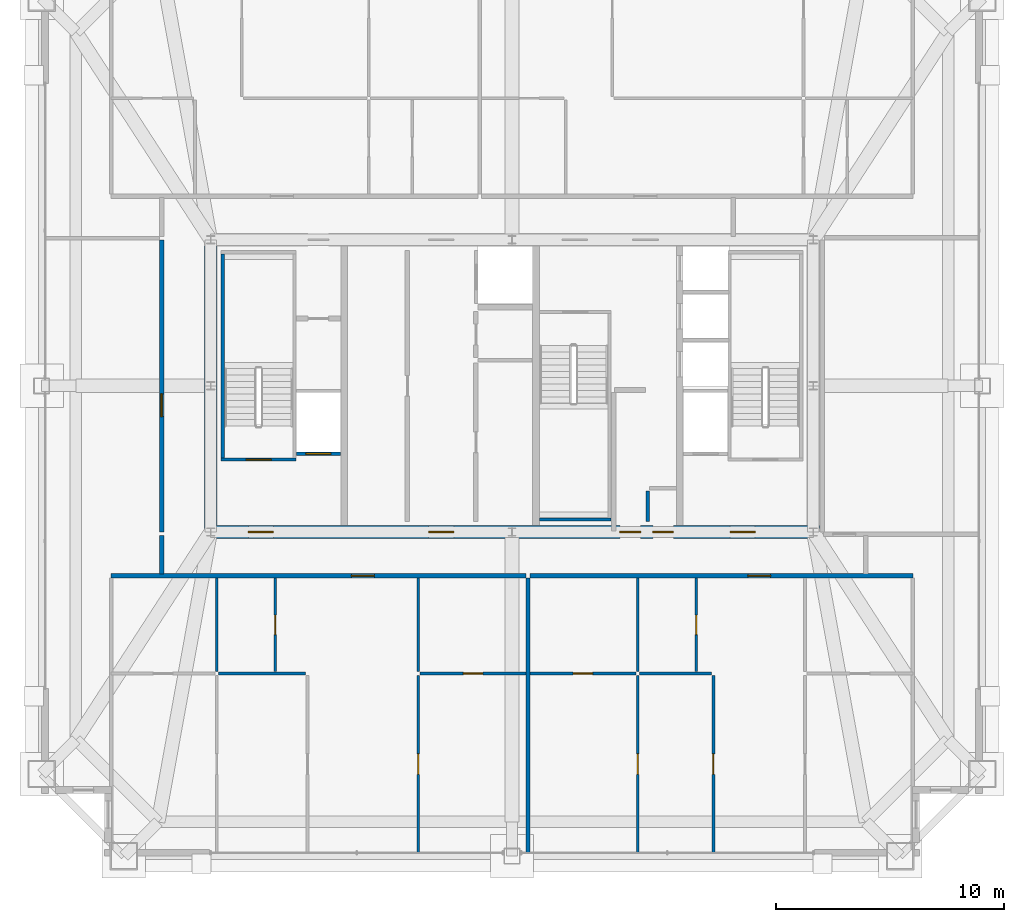
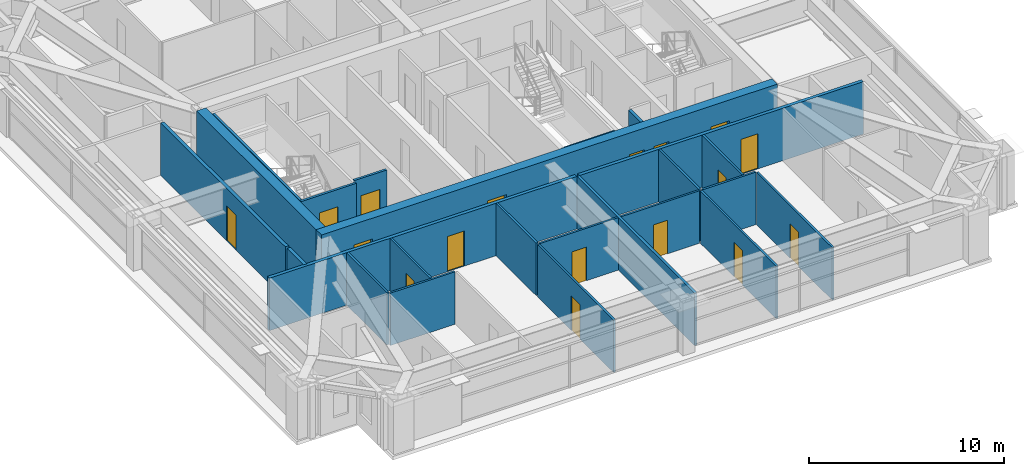
# One storey, part 29 of 33: 24 walls, 17 doors, 17 openings.
"""IFC4 building model written with IfcOpenShell, lengths in metres."""

from ifc_helpers import new_model, si_unit, direction, frame, frame_2d, origin, place, context, subcontext, project, spatial, rectangle, extrude, source, transform, mapped, material, layer, layer_set, type_object, element, fill, save


model = new_model("IFC4")

# Units and contexts
model_context = context("Model", 3, precision=1e-05, world=origin(), true_north=direction((0.0, 1.0)))
body_context = subcontext(model_context, "Body", "Model", "MODEL_VIEW")
ifc_project = project(units=[si_unit("LENGTHUNIT", "METRE"), si_unit("AREAUNIT", "SQUARE_METRE"), si_unit("VOLUMEUNIT", "CUBIC_METRE"), si_unit("PLANEANGLEUNIT", "RADIAN"), si_unit("MASSUNIT", "GRAM", prefix="KILO"), si_unit("THERMODYNAMICTEMPERATUREUNIT", "KELVIN"), si_unit("POWERUNIT", "WATT")], contexts=[model_context])

# Site, building, storey
site_placement = place(None, origin())
site = spatial("IfcSite", under=ifc_project, at=site_placement, CompositionType="ELEMENT")
building_placement = place(site_placement, origin())
building = spatial("IfcBuilding", under=site, at=building_placement, Name="Yuzanri Waterfront Tower", CompositionType="ELEMENT")
storey_placement = place(building_placement, frame((0.0, 0.0, 282.10009765625)))
storey = spatial("IfcBuildingStorey", under=building, at=storey_placement, Name="L75", CompositionType="ELEMENT", Elevation=282.10009765625)

# Wall, opening, door
ifc_material_1 = material(Name="Moisture-Resistant Gypsum Stud Wall", Category="gypsum")
ifc_layer_1 = layer(ifc_material_1, 0.1201171875)
ifc_layer_set_1 = layer_set([ifc_layer_1], Name="Moisture-Resistant Gypsum Stud Wall")
wall_type_1 = type_object("IfcWallType", Name="Bathroom and Kitchen Wet Partition 120", PredefinedType="PARTITIONING", material=ifc_layer_set_1)
wall_1_placement = place(storey_placement, frame((26.625, 13.280029296875, 0.0), z_axis=(0.0, 0.0, 1.0), x_axis=(0.0, 1.0, 0.0)))
wall_1 = element("IfcWall", 1, at=wall_1_placement, inside=storey, type_object=wall_type_1, Name="L75 Partition UW-L75-HS1-SUB-2-E", PredefinedType="PARTITIONING", context=body_context, shape_type="SweptSolid", body=[
    extrude(rectangle(XDim=4.10986328125, YDim=0.1201171875, at=frame_2d((2.054931640625, 0.0))), origin(), (0.0, 0.0, 1.0), 3.27978515625),
])
opening_1_placement = place(wall_1_placement, frame((1.6298828125, 0.0, 0.0)))
opening_1 = element("IfcOpeningElement", 2, at=opening_1_placement, cuts=wall_1, Name="Opening ID-0850", PredefinedType="OPENING", context=body_context, shape_type="SweptSolid", body=[
    extrude(rectangle(XDim=0.85009765625, YDim=2.10009765625, at=frame_2d((0.425048828125, 1.050048828125))), frame((0.0, 0.074951171875, 0.0), z_axis=(0.0, -1.0, 0.0), x_axis=(1.0, 0.0, 0.0)), (0.0, 0.0, 1.0), 0.14990234375),
])
ifc_material_2 = material(Name="Moisture-Resistant Lacquered Timber", Category="wood")
door_type_1 = type_object("IfcDoorType", Name="En-Suite Bathroom and Kitchen Swing Door 850x2100", OperationType="NOTDEFINED", PredefinedType="DOOR", material=ifc_material_2)
shared_shape_1 = source(origin(), body_context, "Body", "SweptSolid", [
    extrude(rectangle(XDim=0.85009765625, YDim=2.10009765625, at=frame_2d((0.425048828125, 1.050048828125))), frame((0.0, 0.02490234375, 0.0), z_axis=(0.0, -1.0, 0.0), x_axis=(1.0, 0.0, 0.0)), (0.0, 0.0, 1.0), 0.050048828125),
])
door_1_placement = place(opening_1_placement, origin())
door_1 = element("IfcDoor", 3, at=door_1_placement, inside=storey, type_object=door_type_1, Name="L75 Suite Interior Room Door", OperationType="SINGLE_SWING_LEFT", OverallHeight=2.10009765625, OverallWidth=0.85009765625, PredefinedType="DOOR", context=body_context, shape_type="MappedRepresentation", body=[
    mapped(shared_shape_1, transform((0.0, 0.0, 0.0), scale=1.0)),
])
fill(opening_1, door_1)

wall_2_placement = place(storey_placement, frame((32.97509765625, 13.199951171875, 0.0), z_axis=(0.0, 0.0, 1.0), x_axis=(1.0, 0.0, 0.0)))
wall_2 = element("IfcWall", 4, at=wall_2_placement, inside=storey, type_object=wall_type_1, Name="L75 Partition UW-L75-HS1-SUB-3-S", PredefinedType="PARTITIONING", context=body_context, shape_type="SweptSolid", body=[
    extrude(rectangle(XDim=4.64697265625, YDim=0.1201171875, at=frame_2d((2.323486328125, 0.0))), origin(), (0.0, 0.0, 1.0), 3.27978515625),
])
opening_2_placement = place(wall_2_placement, frame((1.8984375, 0.0, 0.0)))
opening_2 = element("IfcOpeningElement", 5, at=opening_2_placement, cuts=wall_2, Name="Opening ID-0850", PredefinedType="OPENING", context=body_context, shape_type="SweptSolid", body=[
    extrude(rectangle(XDim=0.85009765625, YDim=2.10009765625, at=frame_2d((0.425048828125, 1.050048828125))), frame((0.0, 0.074951171875, 0.0), z_axis=(0.0, -1.0, 0.0), x_axis=(1.0, 0.0, 0.0)), (0.0, 0.0, 1.0), 0.14990234375),
])
door_2_placement = place(opening_2_placement, origin())
door_2 = element("IfcDoor", 6, at=door_2_placement, inside=storey, type_object=door_type_1, Name="L75 Suite Interior Room Door", OperationType="SINGLE_SWING_RIGHT", OverallHeight=2.10009765625, OverallWidth=0.85009765625, PredefinedType="DOOR", context=body_context, shape_type="MappedRepresentation", body=[
    mapped(shared_shape_1, transform((0.0, 0.0, 0.0), scale=1.0)),
])
fill(opening_2, door_2)

wall_3_placement = place(storey_placement, frame((32.89501953125, 5.35009765625, 0.0), z_axis=(0.0, 0.0, 1.0), x_axis=(0.0, 1.0, 0.0)))
wall_3 = element("IfcWall", 7, at=wall_3_placement, inside=storey, type_object=wall_type_1, Name="L75 Partition UW-L75-HS1-SUB-5-W", PredefinedType="PARTITIONING", context=body_context, shape_type="SweptSolid", body=[
    extrude(rectangle(XDim=7.77001953125, YDim=0.1201171875, at=frame_2d((3.885009765625, 0.0))), origin(), (0.0, 0.0, 1.0), 3.27978515625),
])
opening_3_placement = place(wall_3_placement, frame((3.43505859375, 0.0, 0.0)))
opening_3 = element("IfcOpeningElement", 8, at=opening_3_placement, cuts=wall_3, Name="Opening ID-0900", PredefinedType="OPENING", context=body_context, shape_type="SweptSolid", body=[
    extrude(rectangle(XDim=0.89990234375, YDim=2.14990234375, at=frame_2d((0.449951171875, 1.074951171875))), frame((0.0, 0.074951171875, 0.0), z_axis=(0.0, -1.0, 0.0), x_axis=(1.0, 0.0, 0.0)), (0.0, 0.0, 1.0), 0.14990234375),
])
ifc_material_3 = material(Name="Stained Walnut Veneer Timber", Category="wood")
door_type_2 = type_object("IfcDoorType", Name="Bedroom and Study Interior Swing Door 900x2150", OperationType="NOTDEFINED", PredefinedType="DOOR", material=ifc_material_3)
shared_shape_2 = source(origin(), body_context, "Body", "SweptSolid", [
    extrude(rectangle(XDim=0.89990234375, YDim=2.14990234375, at=frame_2d((0.449951171875, 1.074951171875))), frame((0.0, 0.02490234375, 0.0), z_axis=(0.0, -1.0, 0.0), x_axis=(1.0, 0.0, 0.0)), (0.0, 0.0, 1.0), 0.050048828125),
])
door_3_placement = place(opening_3_placement, origin())
door_3 = element("IfcDoor", 9, at=door_3_placement, inside=storey, type_object=door_type_2, Name="L75 Suite Interior Room Door", OperationType="SINGLE_SWING_RIGHT", OverallHeight=2.14990234375, OverallWidth=0.89990234375, PredefinedType="DOOR", context=body_context, shape_type="MappedRepresentation", body=[
    mapped(shared_shape_2, transform((0.0, 0.0, 0.0), scale=1.0)),
])
fill(opening_3, door_3)

wall_4_placement = place(storey_placement, frame((37.781982421875, 13.199951171875, 0.0), z_axis=(0.0, 0.0, 1.0), x_axis=(1.0, 0.0, 0.0)))
wall_4 = element("IfcWall", 10, at=wall_4_placement, inside=storey, type_object=wall_type_1, Name="L75 Partition UW-L75-HS2-SUB-1-S", PredefinedType="PARTITIONING", context=body_context, shape_type="SweptSolid", body=[
    extrude(rectangle(XDim=4.64697265625, YDim=0.1201171875, at=frame_2d((2.323486328125, 0.0))), origin(), (0.0, 0.0, 1.0), 3.27978515625),
])
opening_4_placement = place(wall_4_placement, frame((1.8984375, 0.0, 0.0)))
opening_4 = element("IfcOpeningElement", 11, at=opening_4_placement, cuts=wall_4, Name="Opening ID-0850", PredefinedType="OPENING", context=body_context, shape_type="SweptSolid", body=[
    extrude(rectangle(XDim=0.85009765625, YDim=2.10009765625, at=frame_2d((0.425048828125, 1.050048828125))), frame((0.0, 0.074951171875, 0.0), z_axis=(0.0, -1.0, 0.0), x_axis=(1.0, 0.0, 0.0)), (0.0, 0.0, 1.0), 0.14990234375),
])
door_4_placement = place(opening_4_placement, origin())
door_4 = element("IfcDoor", 12, at=door_4_placement, inside=storey, type_object=door_type_1, Name="L75 Suite Interior Room Door", OperationType="SINGLE_SWING_LEFT", OverallHeight=2.10009765625, OverallWidth=0.85009765625, PredefinedType="DOOR", context=body_context, shape_type="MappedRepresentation", body=[
    mapped(shared_shape_1, transform((0.0, 0.0, 0.0), scale=1.0)),
])
fill(opening_4, door_4)

wall_5_placement = place(storey_placement, frame((45.069091796875, 13.280029296875, 0.0), z_axis=(0.0, 0.0, 1.0), x_axis=(0.0, 1.0, 0.0)))
wall_5 = element("IfcWall", 13, at=wall_5_placement, inside=storey, type_object=wall_type_1, Name="L75 Partition UW-L75-HS2-SUB-2-E", PredefinedType="PARTITIONING", context=body_context, shape_type="SweptSolid", body=[
    extrude(rectangle(XDim=4.10986328125, YDim=0.1201171875, at=frame_2d((2.054931640625, 0.0))), origin(), (0.0, 0.0, 1.0), 3.27978515625),
])
opening_5_placement = place(wall_5_placement, frame((1.6298828125, 0.0, 0.0)))
opening_5 = element("IfcOpeningElement", 14, at=opening_5_placement, cuts=wall_5, Name="Opening ID-0850", PredefinedType="OPENING", context=body_context, shape_type="SweptSolid", body=[
    extrude(rectangle(XDim=0.85009765625, YDim=2.10009765625, at=frame_2d((0.425048828125, 1.050048828125))), frame((0.0, 0.074951171875, 0.0), z_axis=(0.0, -1.0, 0.0), x_axis=(1.0, 0.0, 0.0)), (0.0, 0.0, 1.0), 0.14990234375),
])
door_5_placement = place(opening_5_placement, origin())
door_5 = element("IfcDoor", 15, at=door_5_placement, inside=storey, type_object=door_type_1, Name="L75 Suite Interior Room Door", OperationType="SINGLE_SWING_RIGHT", OverallHeight=2.10009765625, OverallWidth=0.85009765625, PredefinedType="DOOR", context=body_context, shape_type="MappedRepresentation", body=[
    mapped(shared_shape_1, transform((0.0, 0.0, 0.0), scale=1.0)),
])
fill(opening_5, door_5)

wall_6_placement = place(storey_placement, frame((42.509033203125, 5.35009765625, 0.0), z_axis=(0.0, 0.0, 1.0), x_axis=(0.0, 1.0, 0.0)))
wall_6 = element("IfcWall", 16, at=wall_6_placement, inside=storey, type_object=wall_type_1, Name="L75 Partition UW-L75-HS2-SUB-4-E", PredefinedType="PARTITIONING", context=body_context, shape_type="SweptSolid", body=[
    extrude(rectangle(XDim=7.77001953125, YDim=0.1201171875, at=frame_2d((3.885009765625, 0.0))), origin(), (0.0, 0.0, 1.0), 3.27978515625),
])
opening_6_placement = place(wall_6_placement, frame((3.43505859375, 0.0, 0.0)))
opening_6 = element("IfcOpeningElement", 17, at=opening_6_placement, cuts=wall_6, Name="Opening ID-0900", PredefinedType="OPENING", context=body_context, shape_type="SweptSolid", body=[
    extrude(rectangle(XDim=0.89990234375, YDim=2.14990234375, at=frame_2d((0.449951171875, 1.074951171875))), frame((0.0, 0.074951171875, 0.0), z_axis=(0.0, -1.0, 0.0), x_axis=(1.0, 0.0, 0.0)), (0.0, 0.0, 1.0), 0.14990234375),
])
door_6_placement = place(opening_6_placement, origin())
door_6 = element("IfcDoor", 18, at=door_6_placement, inside=storey, type_object=door_type_2, Name="L75 Suite Interior Room Door", OperationType="SINGLE_SWING_RIGHT", OverallHeight=2.14990234375, OverallWidth=0.89990234375, PredefinedType="DOOR", context=body_context, shape_type="MappedRepresentation", body=[
    mapped(shared_shape_2, transform((0.0, 0.0, 0.0), scale=1.0)),
])
fill(opening_6, door_6)

wall_7_placement = place(storey_placement, frame((45.821044921875, 5.35009765625, 0.0), z_axis=(0.0, 0.0, 1.0), x_axis=(0.0, 1.0, 0.0)))
wall_7 = element("IfcWall", 19, at=wall_7_placement, inside=storey, type_object=wall_type_1, Name="L75 Partition UW-L75-HS2-SUB-6-E", PredefinedType="PARTITIONING", context=body_context, shape_type="SweptSolid", body=[
    extrude(rectangle(XDim=7.77001953125, YDim=0.1201171875, at=frame_2d((3.885009765625, 0.0))), origin(), (0.0, 0.0, 1.0), 3.27978515625),
])
opening_7_placement = place(wall_7_placement, frame((3.43505859375, 0.0, 0.0)))
opening_7 = element("IfcOpeningElement", 20, at=opening_7_placement, cuts=wall_7, Name="Opening ID-0900", PredefinedType="OPENING", context=body_context, shape_type="SweptSolid", body=[
    extrude(rectangle(XDim=0.89990234375, YDim=2.14990234375, at=frame_2d((0.449951171875, 1.074951171875))), frame((0.0, 0.074951171875, 0.0), z_axis=(0.0, -1.0, 0.0), x_axis=(1.0, 0.0, 0.0)), (0.0, 0.0, 1.0), 0.14990234375),
])
door_7_placement = place(opening_7_placement, origin())
door_7 = element("IfcDoor", 21, at=door_7_placement, inside=storey, type_object=door_type_2, Name="L75 Suite Interior Room Door", OperationType="SINGLE_SWING_RIGHT", OverallHeight=2.14990234375, OverallWidth=0.89990234375, PredefinedType="DOOR", context=body_context, shape_type="MappedRepresentation", body=[
    mapped(shared_shape_2, transform((0.0, 0.0, 0.0), scale=1.0)),
])
fill(opening_7, door_7)

# Wall, openings, doors
ifc_material_4 = material(Name="Concrete C50", Category="concrete")
ifc_layer_2 = layer(ifc_material_4, 0.550048828125)
ifc_layer_set_2 = layer_set([ifc_layer_2], Name="Concrete C50")
wall_type_2 = type_object("IfcWallType", Name="Concrete C50 Upper-Mid Zone Core Shear Wall 550", PredefinedType="SHEAR", material=ifc_layer_set_2)
wall_8_placement = place(storey_placement, frame((23.52490234375, 19.39990234375, 0.0), z_axis=(0.0, 0.0, 1.0), x_axis=(1.0, 0.0, 0.0)))
wall_8 = element("IfcWall", 22, at=wall_8_placement, inside=storey, type_object=wall_type_2, Name="L75 Core South Shear Wall", PredefinedType="SHEAR", context=body_context, shape_type="SweptSolid", body=[
    extrude(rectangle(XDim=26.9501953125, YDim=0.550048828125, at=frame_2d((13.47509765625, 0.0))), origin(), (0.0, 0.0, 1.0), 3.5),
])
opening_8_placement = place(wall_8_placement, frame((1.925048828125, 0.0, 0.0)))
opening_8 = element("IfcOpeningElement", 23, at=opening_8_placement, cuts=wall_8, Name="Opening FD-1100", PredefinedType="OPENING", context=body_context, shape_type="SweptSolid", body=[
    extrude(rectangle(XDim=1.10009765625, YDim=2.199951171875, at=frame_2d((0.550048828125, 1.10009765625))), frame((0.0, 0.2900390625, 0.0), z_axis=(0.0, -1.0, 0.0), x_axis=(1.0, 0.0, 0.0)), (0.0, 0.0, 1.0), 0.579833984375),
])
opening_9_placement = place(wall_8_placement, frame((9.824951171875, 0.0, 0.0)))
opening_9 = element("IfcOpeningElement", 24, at=opening_9_placement, cuts=wall_8, Name="Opening FD-1100", PredefinedType="OPENING", context=body_context, shape_type="SweptSolid", body=[
    extrude(rectangle(XDim=1.10009765625, YDim=2.199951171875, at=frame_2d((0.550048828125, 1.10009765625))), frame((0.0, 0.2900390625, 0.0), z_axis=(0.0, -1.0, 0.0), x_axis=(1.0, 0.0, 0.0)), (0.0, 0.0, 1.0), 0.579833984375),
])
opening_10_placement = place(wall_8_placement, frame((23.02490234375, 0.0, 0.0)))
opening_10 = element("IfcOpeningElement", 25, at=opening_10_placement, cuts=wall_8, Name="Opening FD-1100", PredefinedType="OPENING", context=body_context, shape_type="SweptSolid", body=[
    extrude(rectangle(XDim=1.10009765625, YDim=2.199951171875, at=frame_2d((0.550048828125, 1.10009765625))), frame((0.0, 0.2900390625, 0.0), z_axis=(0.0, -1.0, 0.0), x_axis=(1.0, 0.0, 0.0)), (0.0, 0.0, 1.0), 0.579833984375),
])
opening_11_placement = place(wall_8_placement, frame((19.64501953125, 0.0, 0.0)))
opening_11 = element("IfcOpeningElement", 26, at=opening_11_placement, cuts=wall_8, Name="Opening FD-0900", PredefinedType="OPENING", context=body_context, shape_type="SweptSolid", body=[
    extrude(rectangle(XDim=0.89990234375, YDim=2.14990234375, at=frame_2d((0.449951171875, 1.074951171875))), frame((0.0, 0.2900390625, 0.0), z_axis=(0.0, -1.0, 0.0), x_axis=(1.0, 0.0, 0.0)), (0.0, 0.0, 1.0), 0.579833984375),
])
opening_12_placement = place(wall_8_placement, frame((18.205078125, 0.0, 0.0)))
opening_12 = element("IfcOpeningElement", 27, at=opening_12_placement, cuts=wall_8, Name="Opening FD-0900", PredefinedType="OPENING", context=body_context, shape_type="SweptSolid", body=[
    extrude(rectangle(XDim=0.89990234375, YDim=2.14990234375, at=frame_2d((0.449951171875, 1.074951171875))), frame((0.0, 0.2900390625, 0.0), z_axis=(0.0, -1.0, 0.0), x_axis=(1.0, 0.0, 0.0)), (0.0, 0.0, 1.0), 0.579833984375),
])
ifc_material_5 = material(Name="Painted Galvanized Fire Steel", Category="steel")
door_type_3 = type_object("IfcDoorType", Name="Smoke-Proof Stair and Lobby Fire Door 1100x2200", OperationType="NOTDEFINED", PredefinedType="DOOR", material=ifc_material_5)
shared_shape_3 = source(origin(), body_context, "Body", "SweptSolid", [
    extrude(rectangle(XDim=1.10009765625, YDim=2.199951171875, at=frame_2d((0.550048828125, 1.10009765625))), frame((0.0, 0.02490234375, 0.0), z_axis=(0.0, -1.0, 0.0), x_axis=(1.0, 0.0, 0.0)), (0.0, 0.0, 1.0), 0.050048828125),
])
door_8_placement = place(opening_8_placement, origin())
door_8 = element("IfcDoor", 28, at=door_8_placement, inside=storey, type_object=door_type_3, Name="L75 West Firefighting Lobby Door", OperationType="SINGLE_SWING_RIGHT", OverallHeight=2.199951171875, OverallWidth=1.10009765625, PredefinedType="DOOR", context=body_context, shape_type="MappedRepresentation", body=[
    mapped(shared_shape_3, transform((0.0, 0.0, 0.0), scale=1.0)),
])
fill(opening_8, door_8)
door_9_placement = place(opening_9_placement, origin())
door_9 = element("IfcDoor", 29, at=door_9_placement, inside=storey, type_object=door_type_3, Name="L75 Central Lift Lobby South Door", OperationType="SINGLE_SWING_LEFT", OverallHeight=2.199951171875, OverallWidth=1.10009765625, PredefinedType="DOOR", context=body_context, shape_type="MappedRepresentation", body=[
    mapped(shared_shape_3, transform((0.0, 0.0, 0.0), scale=1.0)),
])
fill(opening_9, door_9)
door_10_placement = place(opening_10_placement, origin())
door_10 = element("IfcDoor", 30, at=door_10_placement, inside=storey, type_object=door_type_3, Name="L75 East Firefighting Lobby Door", OperationType="SINGLE_SWING_RIGHT", OverallHeight=2.199951171875, OverallWidth=1.10009765625, PredefinedType="DOOR", context=body_context, shape_type="MappedRepresentation", body=[
    mapped(shared_shape_3, transform((0.0, 0.0, 0.0), scale=1.0)),
])
fill(opening_10, door_10)
ifc_material_6 = material(Name="Painted Galvanized Fire Steel", Category="steel")
door_type_4 = type_object("IfcDoorType", Name="Riser and Service Room Fire Door 900x2150", OperationType="NOTDEFINED", PredefinedType="DOOR", material=ifc_material_6)
shared_shape_4 = source(origin(), body_context, "Body", "SweptSolid", [
    extrude(rectangle(XDim=0.89990234375, YDim=2.14990234375, at=frame_2d((0.449951171875, 1.074951171875))), frame((0.0, 0.02490234375, 0.0), z_axis=(0.0, -1.0, 0.0), x_axis=(1.0, 0.0, 0.0)), (0.0, 0.0, 1.0), 0.050048828125),
])
door_11_placement = place(opening_11_placement, origin())
door_11 = element("IfcDoor", 31, at=door_11_placement, inside=storey, type_object=door_type_4, Name="L75 East Wet Riser Door", OperationType="SINGLE_SWING_LEFT", OverallHeight=2.14990234375, OverallWidth=0.89990234375, PredefinedType="DOOR", context=body_context, shape_type="MappedRepresentation", body=[
    mapped(shared_shape_4, transform((0.0, 0.0, 0.0), scale=1.0)),
])
fill(opening_11, door_11)
door_12_placement = place(opening_12_placement, origin())
door_12 = element("IfcDoor", 32, at=door_12_placement, inside=storey, type_object=door_type_4, Name="L75 Cleaners Store Room", OperationType="SINGLE_SWING_RIGHT", OverallHeight=2.14990234375, OverallWidth=0.89990234375, PredefinedType="DOOR", context=body_context, shape_type="MappedRepresentation", body=[
    mapped(shared_shape_4, transform((0.0, 0.0, 0.0), scale=1.0)),
])
fill(opening_12, door_12)

# Wall, opening, door
ifc_material_7 = material(Name="Concrete C40", Category="concrete")
ifc_layer_3 = layer(ifc_material_7, 0.139892578125)
ifc_layer_set_3 = layer_set([ifc_layer_3], Name="Concrete C40")
wall_type_3 = type_object("IfcWallType", Name="Core Stair Liner and Hoistway Shaft Wall 140", PredefinedType="SOLIDWALL", material=ifc_layer_set_3)
wall_9_placement = place(storey_placement, frame((27.56005859375, 22.830078125, 0.0), z_axis=(0.0, 0.0, 1.0), x_axis=(1.0, 0.0, 0.0)))
wall_9 = element("IfcWall", 33, at=wall_9_placement, inside=storey, type_object=wall_type_3, Name="L75 Lift FL-01 Front Shaft Wall", PredefinedType="SOLIDWALL", context=body_context, shape_type="SweptSolid", body=[
    extrude(rectangle(XDim=1.919921875, YDim=0.139892578125, at=frame_2d((0.9599609375, 0.0))), origin(), (0.0, 0.0, 1.0), 3.27978515625),
])
opening_13_placement = place(wall_9_placement, frame((0.409912109375, 0.0, 0.0)))
opening_13 = element("IfcOpeningElement", 34, at=opening_13_placement, cuts=wall_9, Name="Opening LD-FL-01", PredefinedType="OPENING", context=body_context, shape_type="SweptSolid", body=[
    extrude(rectangle(XDim=1.10009765625, YDim=2.199951171875, at=frame_2d((0.550048828125, 1.10009765625))), frame((0.0, 0.0849609375, 0.0), z_axis=(0.0, -1.0, 0.0), x_axis=(1.0, 0.0, 0.0)), (0.0, 0.0, 1.0), 0.169677734375),
])
ifc_material_8 = material(Name="Brushed Bronze and Stainless Steel Cab", Category="steel")
door_type_5 = type_object("IfcDoorType", Name="Center-Parting Bronze Lift Landing Sliding Door 1100x2200", OperationType="NOTDEFINED", PredefinedType="DOOR", material=ifc_material_8)
shared_shape_5 = source(origin(), body_context, "Body", "SweptSolid", [
    extrude(rectangle(XDim=1.10009765625, YDim=2.199951171875, at=frame_2d((0.550048828125, 1.10009765625))), frame((0.0, 0.02490234375, 0.0), z_axis=(0.0, -1.0, 0.0), x_axis=(1.0, 0.0, 0.0)), (0.0, 0.0, 1.0), 0.050048828125),
])
door_13_placement = place(opening_13_placement, origin())
door_13 = element("IfcDoor", 35, at=door_13_placement, inside=storey, type_object=door_type_5, Name="L75 FL-01 Lift Landing Sliding Door", OperationType="SLIDING_TO_LEFT", OverallHeight=2.199951171875, OverallWidth=1.10009765625, PredefinedType="DOOR", context=body_context, shape_type="MappedRepresentation", body=[
    mapped(shared_shape_5, transform((0.0, 0.0, 0.0), scale=1.0)),
])
fill(opening_13, door_13)

wall_10_placement = place(storey_placement, frame((24.260009765625, 22.570068359375, 0.0), z_axis=(0.0, 0.0, 1.0), x_axis=(1.0, 0.0, 0.0)))
wall_10 = element("IfcWall", 36, at=wall_10_placement, inside=storey, type_object=wall_type_3, Name="L75 Shaft Wall STW-L75-ST-01-S", PredefinedType="SOLIDWALL", context=body_context, shape_type="SweptSolid", body=[
    extrude(rectangle(XDim=3.280029296875, YDim=0.139892578125, at=frame_2d((1.64013671875, 0.0))), origin(), (0.0, 0.0, 1.0), 3.27978515625),
])
opening_14_placement = place(wall_10_placement, frame((1.090087890625, 0.0, 0.0)))
opening_14 = element("IfcOpeningElement", 37, at=opening_14_placement, cuts=wall_10, Name="Opening FD-1100", PredefinedType="OPENING", context=body_context, shape_type="SweptSolid", body=[
    extrude(rectangle(XDim=1.10009765625, YDim=2.199951171875, at=frame_2d((0.550048828125, 1.10009765625))), frame((0.0, 0.0849609375, 0.0), z_axis=(0.0, -1.0, 0.0), x_axis=(1.0, 0.0, 0.0)), (0.0, 0.0, 1.0), 0.169677734375),
])
door_14_placement = place(opening_14_placement, origin())
door_14 = element("IfcDoor", 38, at=door_14_placement, inside=storey, type_object=door_type_3, Name="L75 Stair ST-01 Fire Door", OperationType="SINGLE_SWING_LEFT", OverallHeight=2.199951171875, OverallWidth=1.10009765625, PredefinedType="DOOR", context=body_context, shape_type="MappedRepresentation", body=[
    mapped(shared_shape_3, transform((0.0, 0.0, 0.0), scale=1.0)),
])
fill(opening_14, door_14)

ifc_material_9 = material(Name="Autoclaved Aerated Concrete Blockwork", Category="masonry")
ifc_layer_4 = layer(ifc_material_9, 0.199951171875)
ifc_layer_set_4 = layer_set([ifc_layer_4], Name="Autoclaved Aerated Concrete Blockwork")
wall_type_4 = type_object("IfcWallType", Name="Corridor and Unit Party Fire Wall 200", PredefinedType="PARTITIONING", material=ifc_layer_set_4)
wall_11_placement = place(storey_placement, frame((19.43994140625, 17.489990234375, 0.0), z_axis=(0.0, 0.0, 1.0), x_axis=(1.0, 0.0, 0.0)))
wall_11 = element("IfcWall", 39, at=wall_11_placement, inside=storey, type_object=wall_type_4, Name="L75 Partition UW-L75-HS1-CN", PredefinedType="PARTITIONING", context=body_context, shape_type="SweptSolid", body=[
    extrude(rectangle(XDim=18.18212890625, YDim=0.199951171875, at=frame_2d((9.091064453125, 0.0))), origin(), (0.0, 0.0, 1.0), 3.27978515625),
])
opening_15_placement = place(wall_11_placement, frame((10.528076171875, 0.0, 0.0)))
opening_15 = element("IfcOpeningElement", 40, at=opening_15_placement, cuts=wall_11, Name="Opening FD-1000", PredefinedType="OPENING", context=body_context, shape_type="SweptSolid", body=[
    extrude(rectangle(XDim=1.0, YDim=2.199951171875, at=frame_2d((0.5, 1.10009765625))), frame((0.0, 0.11474609375, 0.0), z_axis=(0.0, -1.0, 0.0), x_axis=(1.0, 0.0, 0.0)), (0.0, 0.0, 1.0), 0.229736328125),
])
ifc_material_10 = material(Name="Engineered Oak Fire-Rated Timber", Category="wood")
door_type_6 = type_object("IfcDoorType", Name="Guestroom and Apartment Entrance Fire Door 1000x2200", OperationType="NOTDEFINED", PredefinedType="DOOR", material=ifc_material_10)
shared_shape_6 = source(origin(), body_context, "Body", "SweptSolid", [
    extrude(rectangle(XDim=1.0, YDim=2.199951171875, at=frame_2d((0.5, 1.10009765625))), frame((0.0, 0.02490234375, 0.0), z_axis=(0.0, -1.0, 0.0), x_axis=(1.0, 0.0, 0.0)), (0.0, 0.0, 1.0), 0.050048828125),
])
door_15_placement = place(opening_15_placement, origin())
door_15 = element("IfcDoor", 41, at=door_15_placement, inside=storey, type_object=door_type_6, Name="L75 Apartment Living and Dining Salon Entrance Door", OperationType="SINGLE_SWING_LEFT", OverallHeight=2.199951171875, OverallWidth=1.0, PredefinedType="DOOR", context=body_context, shape_type="MappedRepresentation", body=[
    mapped(shared_shape_6, transform((0.0, 0.0, 0.0), scale=1.0)),
])
fill(opening_15, door_15)

wall_12_placement = place(storey_placement, frame((37.781982421875, 17.489990234375, 0.0), z_axis=(0.0, 0.0, 1.0), x_axis=(1.0, 0.0, 0.0)))
wall_12 = element("IfcWall", 42, at=wall_12_placement, inside=storey, type_object=wall_type_4, Name="L75 Partition UW-L75-HS2-CN", PredefinedType="PARTITIONING", context=body_context, shape_type="SweptSolid", body=[
    extrude(rectangle(XDim=16.778076171875, YDim=0.199951171875, at=frame_2d((8.38916015625, 0.0))), origin(), (0.0, 0.0, 1.0), 3.27978515625),
])
opening_16_placement = place(wall_12_placement, frame((9.544921875, 0.0, 0.0)))
opening_16 = element("IfcOpeningElement", 43, at=opening_16_placement, cuts=wall_12, Name="Opening FD-1000", PredefinedType="OPENING", context=body_context, shape_type="SweptSolid", body=[
    extrude(rectangle(XDim=1.0, YDim=2.199951171875, at=frame_2d((0.5, 1.10009765625))), frame((0.0, 0.11474609375, 0.0), z_axis=(0.0, -1.0, 0.0), x_axis=(1.0, 0.0, 0.0)), (0.0, 0.0, 1.0), 0.229736328125),
])
door_16_placement = place(opening_16_placement, origin())
door_16 = element("IfcDoor", 44, at=door_16_placement, inside=storey, type_object=door_type_6, Name="L75 Apartment Living and Dining Salon Entrance Door", OperationType="SINGLE_SWING_RIGHT", OverallHeight=2.199951171875, OverallWidth=1.0, PredefinedType="DOOR", context=body_context, shape_type="MappedRepresentation", body=[
    mapped(shared_shape_6, transform((0.0, 0.0, 0.0), scale=1.0)),
])
fill(opening_16, door_16)

wall_13_placement = place(storey_placement, frame((21.64990234375, 19.409912109375, 0.0), z_axis=(0.0, 0.0, 1.0), x_axis=(0.0, 1.0, 0.0)))
wall_13 = element("IfcWall", 45, at=wall_13_placement, inside=storey, type_object=wall_type_4, Name="L75 Partition UW-L75-045-CW", PredefinedType="PARTITIONING", context=body_context, shape_type="SweptSolid", body=[
    extrude(rectangle(XDim=12.780029296875, YDim=0.199951171875, at=frame_2d((6.39013671875, 0.0))), origin(), (0.0, 0.0, 1.0), 3.27978515625),
])
opening_17_placement = place(wall_13_placement, frame((5.04150390625, 0.0, 0.0)))
opening_17 = element("IfcOpeningElement", 46, at=opening_17_placement, cuts=wall_13, Name="Opening FD-1000", PredefinedType="OPENING", context=body_context, shape_type="SweptSolid", body=[
    extrude(rectangle(XDim=1.0, YDim=2.199951171875, at=frame_2d((0.5, 1.10009765625))), frame((0.0, 0.11474609375, 0.0), z_axis=(0.0, -1.0, 0.0), x_axis=(1.0, 0.0, 0.0)), (0.0, 0.0, 1.0), 0.229736328125),
])
door_17_placement = place(opening_17_placement, origin())
door_17 = element("IfcDoor", 47, at=door_17_placement, inside=storey, type_object=door_type_6, Name="L75 High-Rise W Private Dining Restaurant Entrance Door", OperationType="SINGLE_SWING_LEFT", OverallHeight=2.199951171875, OverallWidth=1.0, PredefinedType="DOOR", context=body_context, shape_type="MappedRepresentation", body=[
    mapped(shared_shape_6, transform((0.0, 0.0, 0.0), scale=1.0)),
])
fill(opening_17, door_17)

# Walls
shared_shape_7 = source(origin(), body_context, "Body", "SweptSolid", [
    extrude(rectangle(XDim=12.25, YDim=0.550048828125, at=frame_2d((6.125, 0.0))), origin(), (0.0, 0.0, 1.0), 3.5),
])
wall_14_placement = place(storey_placement, frame((23.800048828125, 19.675048828125, 0.0), z_axis=(0.0, 0.0, 1.0), x_axis=(0.0, 1.0, 0.0)))
element("IfcWall", 48, at=wall_14_placement, inside=storey, type_object=wall_type_2, Name="L75 Core West Shear Wall", PredefinedType="SHEAR", context=body_context, shape_type="MappedRepresentation", body=[
    mapped(shared_shape_7, transform((0.0, 0.0, 0.0), scale=1.0)),
])
shared_shape_8 = source(origin(), body_context, "Body", "SweptSolid", [
    extrude(rectangle(XDim=8.940185546875, YDim=0.139892578125, at=frame_2d((4.47021484375, 0.0))), origin(), (0.0, 0.0, 1.0), 3.27978515625),
])
wall_15_placement = place(storey_placement, frame((24.330078125, 22.639892578125, 0.0), z_axis=(0.0, 0.0, 1.0), x_axis=(0.0, 1.0, 0.0)))
element("IfcWall", 49, at=wall_15_placement, inside=storey, type_object=wall_type_3, Name="L75 Stair ST-01 West Shaft Wall", PredefinedType="SOLIDWALL", context=body_context, shape_type="MappedRepresentation", body=[
    mapped(shared_shape_8, transform((0.0, 0.0, 0.0), scale=1.0)),
])
shared_shape_9 = source(origin(), body_context, "Body", "SweptSolid", [
    extrude(rectangle(XDim=3.14013671875, YDim=0.139892578125, at=frame_2d((1.570068359375, 0.0))), origin(), (0.0, 0.0, 1.0), 3.27978515625),
])
wall_16_placement = place(storey_placement, frame((38.199951171875, 19.949951171875, 0.0), z_axis=(0.0, 0.0, 1.0), x_axis=(1.0, 0.0, 0.0)))
element("IfcWall", 50, at=wall_16_placement, inside=storey, type_object=wall_type_3, Name="L75 Stair ST-03 South Shaft Wall", PredefinedType="SOLIDWALL", context=body_context, shape_type="MappedRepresentation", body=[
    mapped(shared_shape_9, transform((0.0, 0.0, 0.0), scale=1.0)),
])
ifc_material_11 = material(Name="Gypsum Fireboard Acoustic Stud Wall", Category="gypsum")
ifc_layer_5 = layer(ifc_material_11, 0.159912109375)
ifc_layer_set_5 = layer_set([ifc_layer_5], Name="Gypsum Fireboard Acoustic Stud Wall")
wall_type_5 = type_object("IfcWallType", Name="Acoustic Suite Demising Partition 160", PredefinedType="PARTITIONING", material=ifc_layer_set_5)
shared_shape_10 = source(origin(), body_context, "Body", "SweptSolid", [
    extrude(rectangle(XDim=1.33984375, YDim=0.159912109375, at=frame_2d((0.669921875, 0.0))), origin(), (0.0, 0.0, 1.0), 3.27978515625),
])
wall_17_placement = place(storey_placement, frame((42.949951171875, 19.860107421875, 0.0), z_axis=(0.0, 0.0, 1.0), x_axis=(0.0, 1.0, 0.0)))
element("IfcWall", 51, at=wall_17_placement, inside=storey, type_object=wall_type_5, Name="L75 East Wet Riser West Wall", PredefinedType="PARTITIONING", context=body_context, shape_type="MappedRepresentation", body=[
    mapped(shared_shape_10, transform((0.0, 0.0, 0.0), scale=1.0)),
])
shared_shape_11 = source(origin(), body_context, "Body", "SweptSolid", [
    extrude(rectangle(XDim=12.039794921875, YDim=0.159912109375, at=frame_2d((6.02001953125, 0.0))), origin(), (0.0, 0.0, 1.0), 3.27978515625),
])
wall_18_placement = place(storey_placement, frame((37.701904296875, 5.35009765625, 0.0), z_axis=(0.0, 0.0, 1.0), x_axis=(0.0, 1.0, 0.0)))
element("IfcWall", 52, at=wall_18_placement, inside=storey, type_object=wall_type_5, Name="L75-HS1 Party Wall", PredefinedType="PARTITIONING", context=body_context, shape_type="MappedRepresentation", body=[
    mapped(shared_shape_11, transform((0.0, 0.0, 0.0), scale=1.0)),
])
shared_shape_12 = source(origin(), body_context, "Body", "SweptSolid", [
    extrude(rectangle(XDim=4.10986328125, YDim=0.1201171875, at=frame_2d((2.054931640625, 0.0))), origin(), (0.0, 0.0, 1.0), 3.27978515625),
])
for number, where, z_axis, x_axis, name in (
    (53, (24.06494140625, 13.280029296875, 0.0), (0.0, 0.0, 1.0), (0.0, 1.0, 0.0), "L75 Partition UW-L75-HS1-SUB-1-E"),
    (54, (32.89501953125, 13.280029296875, 0.0), (0.0, 0.0, 1.0), (0.0, 1.0, 0.0), "L75 Partition UW-L75-HS1-SUB-3-W"),
    (55, (42.509033203125, 13.280029296875, 0.0), (0.0, 0.0, 1.0), (0.0, 1.0, 0.0), "L75 Partition UW-L75-HS2-SUB-1-E"),
):
    element("IfcWall", number, at=place(storey_placement, frame(where, z_axis=z_axis, x_axis=x_axis)), inside=storey, type_object=wall_type_1, Name=name, PredefinedType="PARTITIONING", context=body_context, shape_type="MappedRepresentation", body=[
        mapped(shared_shape_12, transform((0.0, 0.0, 0.0), scale=1.0)),
    ])
shared_shape_13 = source(origin(), body_context, "Body", "SweptSolid", [
    extrude(rectangle(XDim=3.81494140625, YDim=0.1201171875, at=frame_2d((1.907470703125, 0.0))), origin(), (0.0, 0.0, 1.0), 3.27978515625),
])
wall_19_placement = place(storey_placement, frame((24.14501953125, 13.199951171875, 0.0), z_axis=(0.0, 0.0, 1.0), x_axis=(1.0, 0.0, 0.0)))
element("IfcWall", 56, at=wall_19_placement, inside=storey, type_object=wall_type_1, Name="L75 Partition UW-L75-HS1-SUB-6-N", PredefinedType="PARTITIONING", context=body_context, shape_type="MappedRepresentation", body=[
    mapped(shared_shape_13, transform((0.0, 0.0, 0.0), scale=1.0)),
])
shared_shape_14 = source(origin(), body_context, "Body", "SweptSolid", [
    extrude(rectangle(XDim=3.15185546875, YDim=0.1201171875, at=frame_2d((1.575927734375, 0.0))), origin(), (0.0, 0.0, 1.0), 3.27978515625),
])
wall_20_placement = place(storey_placement, frame((42.589111328125, 13.199951171875, 0.0), z_axis=(0.0, 0.0, 1.0), x_axis=(1.0, 0.0, 0.0)))
element("IfcWall", 57, at=wall_20_placement, inside=storey, type_object=wall_type_1, Name="L75 Partition UW-L75-HS2-SUB-6-N", PredefinedType="PARTITIONING", context=body_context, shape_type="MappedRepresentation", body=[
    mapped(shared_shape_14, transform((0.0, 0.0, 0.0), scale=1.0)),
])
shared_shape_15 = source(origin(), body_context, "Body", "SweptSolid", [
    extrude(rectangle(XDim=1.699951171875, YDim=0.199951171875, at=frame_2d((0.85009765625, 0.0))), origin(), (0.0, 0.0, 1.0), 3.27978515625),
])
wall_21_placement = place(storey_placement, frame((21.64990234375, 17.550048828125, 0.0), z_axis=(0.0, 0.0, 1.0), x_axis=(0.0, 1.0, 0.0)))
element("IfcWall", 58, at=wall_21_placement, inside=storey, type_object=wall_type_4, Name="L75 South Foyer West End Wall", PredefinedType="PARTITIONING", context=body_context, shape_type="MappedRepresentation", body=[
    mapped(shared_shape_15, transform((0.0, 0.0, 0.0), scale=1.0)),
])

save(model, "model.ifc")
